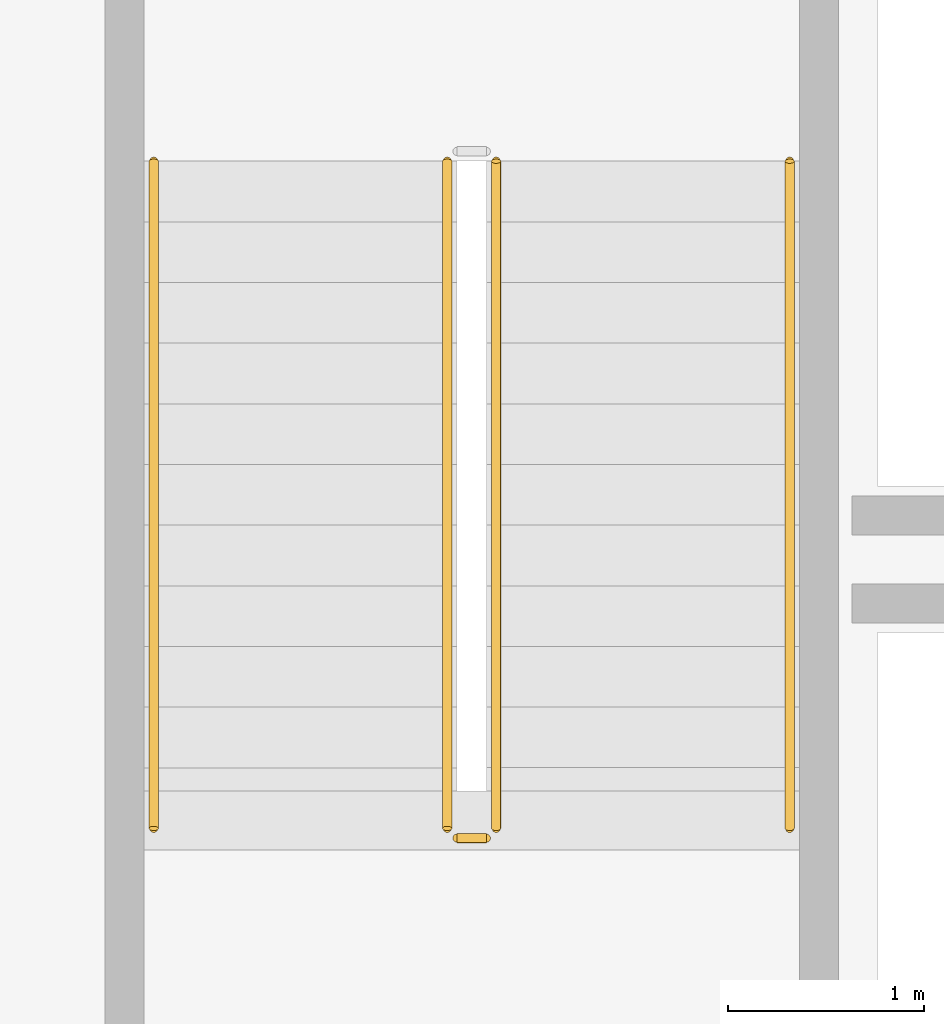
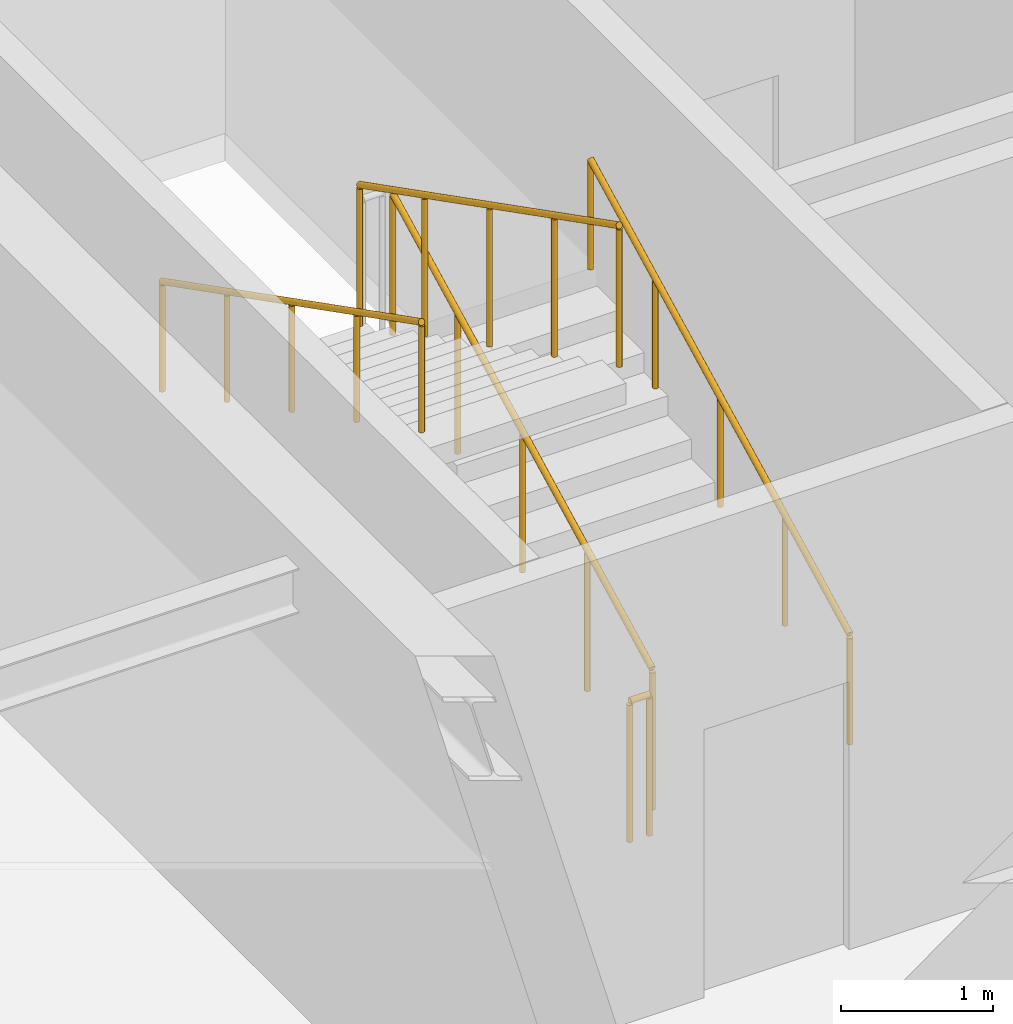
# One storey, part 14 of 19: 5 railings.
"""IFC4 building model written with IfcOpenShell, lengths in metres."""

from ifc_helpers import new_model, si_unit, direction, frame, origin, origin_2d, place, context, subcontext, project, spatial, circle, extrude, material, type_object, element, save


model = new_model("IFC4")

# Units and contexts
model_context = context("Model", 3, precision=1e-05, world=origin(), true_north=direction((0.0, 1.0)))
body_context = subcontext(model_context, "Body", "Model", "MODEL_VIEW")
ifc_project = project(units=[si_unit("LENGTHUNIT", "METRE"), si_unit("AREAUNIT", "SQUARE_METRE"), si_unit("VOLUMEUNIT", "CUBIC_METRE"), si_unit("PLANEANGLEUNIT", "RADIAN"), si_unit("MASSUNIT", "GRAM", prefix="KILO")], contexts=[model_context])

# Site, building, storey
site_placement = place(None, origin())
site = spatial("IfcSite", under=ifc_project, at=site_placement, CompositionType="ELEMENT")
building_placement = place(site_placement, origin())
building = spatial("IfcBuilding", under=site, at=building_placement, Name="Vaeldorn Concourse Tower", CompositionType="ELEMENT")
storey_placement = place(building_placement, frame((0.0, 0.0, 287.800048828125)))
storey = spatial("IfcBuildingStorey", under=building, at=storey_placement, Name="L74", CompositionType="ELEMENT", Elevation=287.800048828125)

# Railings
ifc_material = material(Name="Anodised Bronze Aluminium", Category="aluminium")
railing_type_1 = type_object("IfcRailingType", Name="RL-STAIR-GUARD", PredefinedType="GUARDRAIL", material=ifc_material)
railing_1_placement = place(storey_placement, frame((16.85009765625, 41.60009765625, 0.158203125)))
element("IfcRailing", 1, at=railing_1_placement, inside=storey, type_object=railing_type_1, Name="L74 ST-1 stair guard 1", PredefinedType="GUARDRAIL", context=body_context, shape_type="SweptSolid", body=[
    extrude(circle(Radius=0.02392578125, at=origin_2d()), frame((0.0, 0.0, 1.1259765625), z_axis=(0.0, 0.890555807335, 0.454873997962), x_axis=(-1.0, 0.0, 0.0)), (0.0, 0.0, 1.0), 3.828857421875),
    extrude(circle(Radius=0.02099609375, at=origin_2d()), origin(), (0.0, 0.0, 1.0), 1.101806640625),
    extrude(circle(Radius=0.02099609375, at=origin_2d()), frame((0.0, 0.8525390625, 0.435546875)), (0.0, 0.0, 1.0), 1.101806640625),
    extrude(circle(Radius=0.02099609375, at=origin_2d()), frame((0.0, 1.705078125, 0.870849609375)), (0.0, 0.0, 1.0), 1.101806640625),
    extrude(circle(Radius=0.02099609375, at=origin_2d()), frame((0.0, 2.557373046875, 1.30615234375)), (0.0, 0.0, 1.0), 1.101806640625),
    extrude(circle(Radius=0.02099609375, at=origin_2d()), frame((0.0, 3.409912109375, 1.74169921875)), (0.0, 0.0, 1.0), 1.101806640625),
])
railing_2_placement = place(storey_placement, frame((16.60009765625, 45.010009765625, 2.058349609375)))
element("IfcRailing", 2, at=railing_2_placement, inside=storey, type_object=railing_type_1, Name="L74 ST-1 stair guard 3", PredefinedType="GUARDRAIL", context=body_context, shape_type="SweptSolid", body=[
    extrude(circle(Radius=0.02392578125, at=origin_2d()), frame((0.0, 0.0, 1.1259765625), z_axis=(0.0, -0.890555807335, 0.454873997962), x_axis=(1.0, 0.0, 0.0)), (0.0, 0.0, 1.0), 3.828857421875),
    extrude(circle(Radius=0.02099609375, at=origin_2d()), origin(), (0.0, 0.0, 1.0), 1.101806640625),
    extrude(circle(Radius=0.02099609375, at=origin_2d()), frame((0.0, -0.8525390625, 0.435546875)), (0.0, 0.0, 1.0), 1.101806640625),
    extrude(circle(Radius=0.02099609375, at=origin_2d()), frame((0.0, -1.705078125, 0.870849609375)), (0.0, 0.0, 1.0), 1.101806640625),
    extrude(circle(Radius=0.02099609375, at=origin_2d()), frame((0.0, -2.557373046875, 1.30615234375)), (0.0, 0.0, 1.0), 1.101806640625),
    extrude(circle(Radius=0.02099609375, at=origin_2d()), frame((0.0, -3.409912109375, 1.74169921875)), (0.0, 0.0, 1.0), 1.101806640625),
])
railing_3_placement = place(storey_placement, frame((16.800048828125, 41.550048828125, 0.0)))
element("IfcRailing", 3, at=railing_3_placement, inside=storey, type_object=railing_type_1, Name="L74 ST-1 stair guard 4", PredefinedType="GUARDRAIL", context=body_context, shape_type="SweptSolid", body=[
    extrude(circle(Radius=0.02392578125, at=origin_2d()), frame((0.0, 0.0, 1.1259765625), z_axis=(-1.0, 0.0, 0.0), x_axis=(0.0, -1.0, 0.0)), (0.0, 0.0, 1.0), 0.150146484375),
    extrude(circle(Radius=0.02099609375, at=origin_2d()), origin(), (0.0, 0.0, 1.0), 1.101806640625),
    extrude(circle(Radius=0.02099609375, at=origin_2d()), frame((-0.150146484375, 0.0, 0.0)), (0.0, 0.0, 1.0), 1.101806640625),
])
railing_type_2 = type_object("IfcRailingType", Name="RL-STAIR-HANDRAIL", PredefinedType="HANDRAIL", material=ifc_material)
railing_4_placement = place(storey_placement, frame((18.35009765625, 41.60009765625, 0.158203125)))
element("IfcRailing", 4, at=railing_4_placement, inside=storey, type_object=railing_type_2, Name="L74 ST-1 stair handrail 1", PredefinedType="HANDRAIL", context=body_context, shape_type="SweptSolid", body=[
    extrude(circle(Radius=0.02392578125, at=origin_2d()), frame((0.0, 0.0, 0.8759765625), z_axis=(0.0, 0.890555807335, 0.454873997962), x_axis=(-1.0, 0.0, 0.0)), (0.0, 0.0, 1.0), 3.828857421875),
    extrude(circle(Radius=0.02099609375, at=origin_2d()), origin(), (0.0, 0.0, 1.0), 0.851806640625),
    extrude(circle(Radius=0.02099609375, at=origin_2d()), frame((0.0, 0.8525390625, 0.435546875)), (0.0, 0.0, 1.0), 0.851806640625),
    extrude(circle(Radius=0.02099609375, at=origin_2d()), frame((0.0, 1.705078125, 0.870849609375)), (0.0, 0.0, 1.0), 0.851806640625),
    extrude(circle(Radius=0.02099609375, at=origin_2d()), frame((0.0, 2.557373046875, 1.30615234375)), (0.0, 0.0, 1.0), 0.851806640625),
    extrude(circle(Radius=0.02099609375, at=origin_2d()), frame((0.0, 3.409912109375, 1.74169921875)), (0.0, 0.0, 1.0), 0.851806640625),
])
railing_5_placement = place(storey_placement, frame((15.10009765625, 45.010009765625, 2.058349609375)))
element("IfcRailing", 5, at=railing_5_placement, inside=storey, type_object=railing_type_2, Name="L74 ST-1 stair handrail 2", PredefinedType="HANDRAIL", context=body_context, shape_type="SweptSolid", body=[
    extrude(circle(Radius=0.02392578125, at=origin_2d()), frame((0.0, 0.0, 0.8759765625), z_axis=(0.0, -0.890555807335, 0.454873997962), x_axis=(1.0, 0.0, 0.0)), (0.0, 0.0, 1.0), 3.828857421875),
    extrude(circle(Radius=0.02099609375, at=origin_2d()), origin(), (0.0, 0.0, 1.0), 0.851806640625),
    extrude(circle(Radius=0.02099609375, at=origin_2d()), frame((0.0, -0.8525390625, 0.435546875)), (0.0, 0.0, 1.0), 0.851806640625),
    extrude(circle(Radius=0.02099609375, at=origin_2d()), frame((0.0, -1.705078125, 0.870849609375)), (0.0, 0.0, 1.0), 0.851806640625),
    extrude(circle(Radius=0.02099609375, at=origin_2d()), frame((0.0, -2.557373046875, 1.30615234375)), (0.0, 0.0, 1.0), 0.851806640625),
    extrude(circle(Radius=0.02099609375, at=origin_2d()), frame((0.0, -3.409912109375, 1.74169921875)), (0.0, 0.0, 1.0), 0.851806640625),
])

save(model, "model.ifc")
